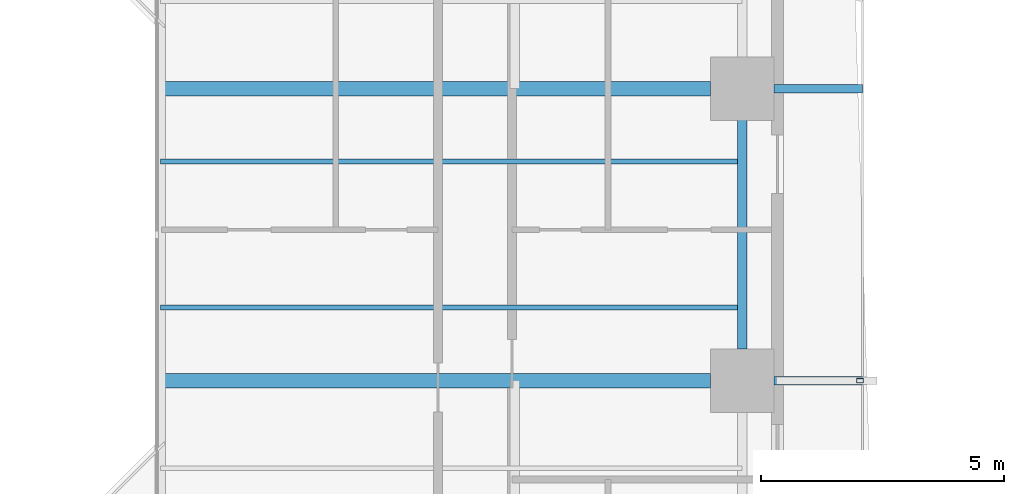
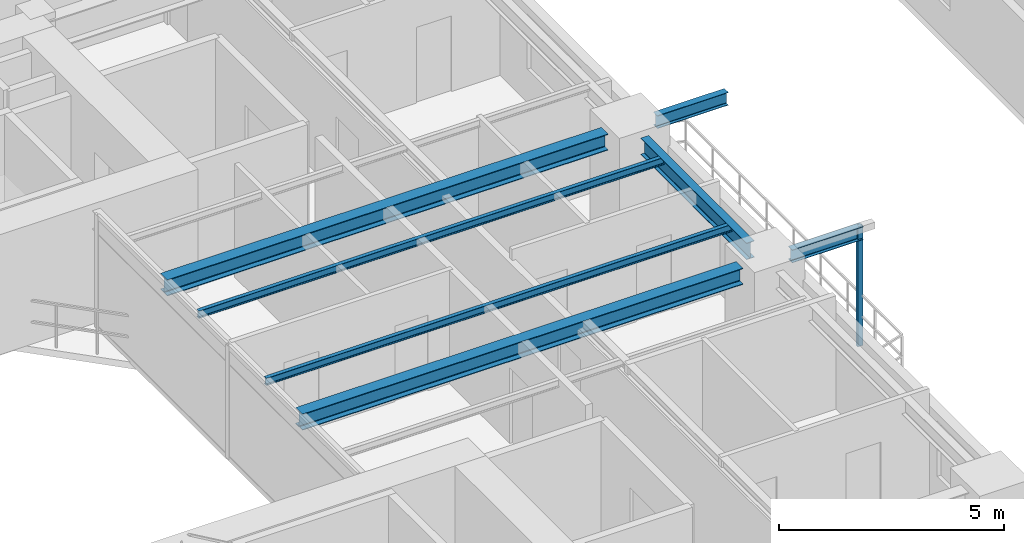
# One storey, part 7 of 23: 7 beams, 1 member.
"""IFC4 building model written with IfcOpenShell, lengths in metres."""

import ifcopenshell
import ifcopenshell.guid

model = None  # the IFC model being written
_history = None  # IfcOwnerHistory: only IFC2X3 demands one
_inside = {}  # id of a spatial element -> (the spatial element, [elements in it])
_under = {}  # id of a project, library or spatial element -> (it, [spatial elements below it])
_declared = {}  # id of a project -> (the project, [libraries it declares])
_typed = {}  # id of a type object -> (the type object, [elements of that type])
_made_of = {}  # id of a material, layer set ... -> (it, [elements and type objects made of it])


def new_model(schema):
    """Start an empty IFC model of exactly this schema.

    Asked for "IFC4X3", IfcOpenShell would pick the latest addendum, in which some entities
    have other attributes; the version numbers below select the first issue.
    IFC2X3 requires an IfcOwnerHistory on every rooted entity: one is made here for all.
    """
    global model, _history
    if schema == "IFC4X3":
        model = ifcopenshell.file(schema_version=(4, 3, 0, 0))
    else:
        model = ifcopenshell.file(schema=schema)
    _inside.clear()
    _under.clear()
    _declared.clear()
    _typed.clear()
    _made_of.clear()
    _history = None
    if model.schema == "IFC2X3":
        org = make("IfcOrganization", Name="unknown")
        user = make(
            "IfcPersonAndOrganization",
            ThePerson=make("IfcPerson", FamilyName="unknown"),
            TheOrganization=org,
        )
        app = make(
            "IfcApplication",
            ApplicationDeveloper=org,
            Version="unknown",
            ApplicationFullName="unknown",
            ApplicationIdentifier="unknown",
        )
        _history = make(
            "IfcOwnerHistory",
            OwningUser=user,
            OwningApplication=app,
            ChangeAction="ADDED",
            CreationDate=0,
        )
    return model


def make(cls, **values):
    """One entity of the class cls with the attributes given. An attribute that is None is left unset."""
    return model.create_entity(
        cls, **{name: value for name, value in values.items() if value is not None}
    )


def rooted(cls, **values):
    """An entity with a GlobalId (a new one), such as an element, a storey or a relation."""
    return make(cls, GlobalId=ifcopenshell.guid.new(), OwnerHistory=_history, **values)


def si_unit(unit_type, name, prefix=None):
    """IfcSIUnit, for example si_unit("LENGTHUNIT", "METRE", prefix="MILLI")."""
    return make("IfcSIUnit", UnitType=unit_type, Prefix=prefix, Name=name)


def assignment(units):
    """IfcUnitAssignment: the units of a project."""
    return None if units is None else make("IfcUnitAssignment", Units=units)


def point(xyz):
    """IfcCartesianPoint."""
    return None if xyz is None else make("IfcCartesianPoint", Coordinates=xyz)


def direction(xyz):
    """IfcDirection."""
    return None if xyz is None else make("IfcDirection", DirectionRatios=xyz)


def frame(location, z_axis=None, x_axis=None):
    """IfcAxis2Placement3D, a coordinate frame: its origin and axes. An axis left out is left unset."""
    return make(
        "IfcAxis2Placement3D",
        Location=point(location),
        Axis=direction(z_axis),
        RefDirection=direction(x_axis),
    )


def frame_2d(location, x_axis=None):
    """IfcAxis2Placement2D, a coordinate frame in the plane: its origin and x axis."""
    return make(
        "IfcAxis2Placement2D", Location=point(location), RefDirection=direction(x_axis)
    )


def origin():
    """The frame at (0, 0, 0) with its axes left unset."""
    return frame((0.0, 0.0, 0.0))


def origin_2d():
    """The frame at (0, 0) in the plane with its x axis left unset."""
    return frame_2d((0.0, 0.0))


def place(relative_to, where):
    """IfcLocalPlacement: puts the frame where relative to a parent placement (None: the world)."""
    return make(
        "IfcLocalPlacement", PlacementRelTo=relative_to, RelativePlacement=where
    )


def context(
    kind, dimensions, precision=None, world=None, true_north=None, identifier=None
):
    """IfcGeometricRepresentationContext, for example the 3D "Model" context."""
    return make(
        "IfcGeometricRepresentationContext",
        ContextIdentifier=identifier,
        ContextType=kind,
        CoordinateSpaceDimension=dimensions,
        Precision=precision,
        WorldCoordinateSystem=world,
        TrueNorth=true_north,
    )


def subcontext(parent, identifier, kind, view, scale=None):
    """IfcGeometricRepresentationSubContext, for example "Body" below "Model"."""
    return make(
        "IfcGeometricRepresentationSubContext",
        ContextIdentifier=identifier,
        ContextType=kind,
        ParentContext=parent,
        TargetScale=scale,
        TargetView=view,
    )


def project(units=None, contexts=None):
    """IfcProject with its units and contexts."""
    return rooted(
        "IfcProject",
        Name="project",
        RepresentationContexts=contexts,
        UnitsInContext=assignment(units),
    )


def spatial(cls, under=None, at=None, **own):
    """A site, building, storey or space (cls), placed at a placement, below another one or the project."""
    s = rooted(cls, ObjectPlacement=at, **own)
    if under is not None:
        _under.setdefault(under.id(), (under, []))[1].append(s)
    return s


def profile(cls, at=None, kind="AREA", **sizes):
    """A parametric profile (cls). Its sizes go by their IFC names, for example OverallWidth=200.0."""
    return make(cls, ProfileType=kind, Position=at, **sizes)


def hollow_rectangle(**sizes):
    """IfcRectangleHollowProfileDef."""
    return profile("IfcRectangleHollowProfileDef", **sizes)


def i_section(**sizes):
    """IfcIShapeProfileDef."""
    return profile("IfcIShapeProfileDef", **sizes)


def extrude(swept, where, along, depth):
    """IfcExtrudedAreaSolid: the profile swept, set in the frame where, extruded along a direction by depth."""
    return make(
        "IfcExtrudedAreaSolid",
        SweptArea=swept,
        Position=where,
        ExtrudedDirection=direction(along),
        Depth=depth,
    )


def shape(context_of_items, identifier, shape_type, items):
    """IfcShapeRepresentation: the items that make up one representation, for example the "Body"."""
    return make(
        "IfcShapeRepresentation",
        ContextOfItems=context_of_items,
        RepresentationIdentifier=identifier,
        RepresentationType=shape_type,
        Items=items,
    )


def source(mapping_origin, context_of_items, identifier, shape_type, items):
    """IfcRepresentationMap: a shape defined once, which mapped items show again and again."""
    return make(
        "IfcRepresentationMap",
        MappingOrigin=mapping_origin,
        MappedRepresentation=shape(context_of_items, identifier, shape_type, items),
    )


def transform(
    local_origin,
    x_axis=None,
    y_axis=None,
    z_axis=None,
    scale=None,
    scale2=None,
    scale3=None,
    uniform=True,
):
    """IfcCartesianTransformationOperator3D, or its non-uniform kind. x_axis, y_axis, z_axis: its Axis1, 2, 3."""
    if uniform:
        return make(
            "IfcCartesianTransformationOperator3D",
            Axis1=direction(x_axis),
            Axis2=direction(y_axis),
            LocalOrigin=point(local_origin),
            Scale=scale,
            Axis3=direction(z_axis),
        )
    return make(
        "IfcCartesianTransformationOperator3DnonUniform",
        Axis1=direction(x_axis),
        Axis2=direction(y_axis),
        LocalOrigin=point(local_origin),
        Scale=scale,
        Axis3=direction(z_axis),
        Scale2=scale2,
        Scale3=scale3,
    )


def mapped(mapping_source, mapping_target):
    """IfcMappedItem: shows the shape of a source again, moved by a transform."""
    return make(
        "IfcMappedItem", MappingSource=mapping_source, MappingTarget=mapping_target
    )


def material(Name=None, Category=None):
    """IfcMaterial."""
    return make("IfcMaterial", Name=Name, Category=Category)


def material_profile(
    of_material, cross_section, Name=None, Category=None, Priority=None
):
    """IfcMaterialProfile: a cross section and its material."""
    return make(
        "IfcMaterialProfile",
        Name=Name,
        Material=of_material,
        Profile=cross_section,
        Priority=Priority,
        Category=Category,
    )


def profile_set(profiles, Name=None, composite=None):
    """IfcMaterialProfileSet."""
    return make(
        "IfcMaterialProfileSet",
        Name=Name,
        MaterialProfiles=profiles,
        CompositeProfile=composite,
    )


def made_of(thing, what):
    """Note that an element or type object is made of a material, layer set ...; save() writes the relation."""
    if what is not None:
        _made_of.setdefault(what.id(), (what, []))[1].append(thing)
    return thing


def type_object(cls, material=None, **own):
    """A type object (cls), such as IfcWallType, which elements share."""
    return made_of(rooted(cls, **own), material)


def element(
    cls,
    number,
    at=None,
    inside=None,
    cuts=None,
    type_object=None,
    material=None,
    context=None,
    identifier="Body",
    shape_type=None,
    held_by="IfcProductDefinitionShape",
    body=None,
    shapes=None,
    **own,
):
    """One element of the class cls, such as IfcWall. Its Tag is "e" and its number.

    at: its placement. inside: the storey or other place that contains it. cuts: it is an
    opening in that element (IfcRelVoidsElement). A single representation is given by context,
    identifier, shape_type and body (its items); several are given by shapes. held_by: the class
    of the entity that holds the representations. save() writes the other relations.
    """
    e = rooted(cls, Tag="e%d" % number, ObjectPlacement=at, **own)
    if body is not None:
        shapes = [shape(context, identifier, shape_type, body)]
    if shapes is not None:
        e.Representation = make(held_by, Representations=shapes)
    if inside is not None:
        _inside.setdefault(inside.id(), (inside, []))[1].append(e)
    if cuts is not None:
        rooted(
            "IfcRelVoidsElement", RelatingBuildingElement=cuts, RelatedOpeningElement=e
        )
    if type_object is not None:
        _typed.setdefault(type_object.id(), (type_object, []))[1].append(e)
    return made_of(e, material)


def aggregate(whole, parts):
    """IfcRelAggregates: a whole, such as a stair, and the parts it consists of."""
    return rooted("IfcRelAggregates", RelatingObject=whole, RelatedObjects=parts)


def save(model, path):
    """Write the relations noted so far, then the file.

    IfcRelAggregates (storeys below a building ...), IfcRelContainedInSpatialStructure (elements
    in a storey), IfcRelDefinesByType, IfcRelAssociatesMaterial and IfcRelDeclares: one each for
    every whole, place, type object, material and project.
    """
    for whole, parts in _under.values():
        aggregate(whole, parts)
    for where, things in _inside.values():
        rooted(
            "IfcRelContainedInSpatialStructure",
            RelatedElements=things,
            RelatingStructure=where,
        )
    for kind, things in _typed.values():
        rooted("IfcRelDefinesByType", RelatedObjects=things, RelatingType=kind)
    for what, things in _made_of.values():
        rooted("IfcRelAssociatesMaterial", RelatedObjects=things, RelatingMaterial=what)
    for by, libraries in _declared.values():
        rooted("IfcRelDeclares", RelatingContext=by, RelatedDefinitions=libraries)
    model.write(path)


model = new_model("IFC4")

# Units and contexts
model_context = context("Model", 3, precision=1e-05, world=origin(), true_north=direction((0.0, 1.0)))
body_context = subcontext(model_context, "Body", "Model", "MODEL_VIEW")
ifc_project = project(units=[si_unit("LENGTHUNIT", "METRE"), si_unit("AREAUNIT", "SQUARE_METRE"), si_unit("VOLUMEUNIT", "CUBIC_METRE"), si_unit("PLANEANGLEUNIT", "RADIAN"), si_unit("MASSUNIT", "GRAM", prefix="KILO"), si_unit("THERMODYNAMICTEMPERATUREUNIT", "KELVIN"), si_unit("POWERUNIT", "WATT")], contexts=[model_context])

# Site, building, storey
site_placement = place(None, origin())
site = spatial("IfcSite", under=ifc_project, at=site_placement, CompositionType="ELEMENT")
building_placement = place(site_placement, origin())
building = spatial("IfcBuilding", under=site, at=building_placement, Name="Qiaomeng Ring Towers", CompositionType="ELEMENT")
storey_placement = place(building_placement, frame((0.0, 0.0, 32.75)))
storey = spatial("IfcBuildingStorey", under=building, at=storey_placement, Name="L08", CompositionType="ELEMENT", Elevation=32.75)

# Beams
ifc_material_1 = material(Name="Steel Q355B", Category="steel")
ifc_material_profile_1 = material_profile(ifc_material_1, i_section(OverallWidth=0.199951171875, OverallDepth=0.449951171875, WebThickness=0.009033203125, FlangeThickness=0.013916015625, FilletRadius=0.01806640625, at=origin_2d()), Name="HN 450x200x9x14")
ifc_profile_set_1 = profile_set([ifc_material_profile_1], Name="Steel Q355B")
beam_type_1 = type_object("IfcBeamType", Name="STR-BM-HN450", PredefinedType="SPANDREL", material=ifc_profile_set_1)
shared_shape_1 = source(origin(), body_context, "Body", "SweptSolid", [
    extrude(i_section(OverallWidth=0.199951171875, OverallDepth=0.449951171875, WebThickness=0.009033203125, FlangeThickness=0.013916015625, FilletRadius=0.01806640625, at=origin_2d()), origin(), (0.0, 0.0, 1.0), 4.7021484375),
])
beam_placement = place(storey_placement, frame((37.14990234375, 20.64892578125, 2.844970703125), z_axis=(0.0, 1.0, 0.0), x_axis=(-1.0, 0.0, 0.0)))
element("IfcBeam", 1, at=beam_placement, inside=storey, type_object=beam_type_1, Name="L08 beam STR-SP-L08-T1-E2-E3", PredefinedType="SPANDREL", context=body_context, shape_type="MappedRepresentation", body=[
    mapped(shared_shape_1, transform((0.0, 0.0, 0.0), x_axis=(1.0, 0.0, 0.0), y_axis=(0.0, 1.0, 0.0), z_axis=(0.0, 0.0, 1.0), scale=1.0)),
])
ifc_material_profile_2 = material_profile(ifc_material_1, i_section(OverallWidth=0.300048828125, OverallDepth=0.43994140625, WebThickness=0.010986328125, FlangeThickness=0.01806640625, FilletRadius=0.02392578125, at=origin_2d()), Name="HM 440x300x11x18")
ifc_profile_set_2 = profile_set([ifc_material_profile_2], Name="Steel Q355B")
beam_type_2 = type_object("IfcBeamType", Name="STR-BM-HM440", PredefinedType="BEAM", material=ifc_profile_set_2)
shared_shape_2 = source(origin(), body_context, "Body", "SweptSolid", [
    extrude(i_section(OverallWidth=0.300048828125, OverallDepth=0.43994140625, WebThickness=0.010986328125, FlangeThickness=0.01806640625, FilletRadius=0.02392578125, at=origin_2d()), origin(), (0.0, 0.0, 1.0), 11.301025390625),
])
for number, where, z_axis, x_axis, name in (
    (2, (25.199951171875, 20.0, 2.85009765625), (1.0, 0.0, 0.0), (0.0, 1.0, 0.0), "L08 beam STR-BM-L08-T1-RAD-E2"),
    (3, (25.199951171875, 26.0, 2.85009765625), (1.0, 0.0, 0.0), (0.0, 1.0, 0.0), "L08 beam STR-BM-L08-T1-RAD-E3"),
):
    element("IfcBeam", number, at=place(storey_placement, frame(where, z_axis=z_axis, x_axis=x_axis)), inside=storey, type_object=beam_type_2, Name=name, PredefinedType="BEAM", context=body_context, shape_type="MappedRepresentation", body=[
        mapped(shared_shape_2, transform((0.0, 0.0, 0.0), x_axis=(1.0, 0.0, 0.0), y_axis=(0.0, 1.0, 0.0), z_axis=(0.0, 0.0, 1.0), scale=1.0)),
    ])
ifc_material_profile_3 = material_profile(ifc_material_1, i_section(OverallWidth=0.175048828125, OverallDepth=0.35009765625, WebThickness=0.007080078125, FlangeThickness=0.010986328125, FilletRadius=0.013916015625, at=origin_2d()), Name="HN 350x175x7x11")
ifc_profile_set_3 = profile_set([ifc_material_profile_3], Name="Steel Q355B")
beam_type_3 = type_object("IfcBeamType", Name="STR-BM-HN350", PredefinedType="JOIST", material=ifc_profile_set_3)
shared_shape_3 = source(origin(), body_context, "Body", "SweptSolid", [
    extrude(i_section(OverallWidth=0.175048828125, OverallDepth=0.35009765625, WebThickness=0.007080078125, FlangeThickness=0.010986328125, FilletRadius=0.013916015625, at=origin_2d()), origin(), (0.0, 0.0, 1.0), 1.821044921875),
])
for number, where, z_axis, x_axis, name in (
    (4, (37.799072265625, 20.0, 2.89501953125), (1.0, 0.0, 0.0), (0.0, 1.0, 0.0), "L08 beam STR-BALBM-L08-E2"),
    (5, (37.799072265625, 26.0, 2.89501953125), (1.0, 0.0, 0.0), (0.0, 1.0, 0.0), "L08 beam STR-BALBM-L08-E3"),
):
    element("IfcBeam", number, at=place(storey_placement, frame(where, z_axis=z_axis, x_axis=x_axis)), inside=storey, type_object=beam_type_3, Name=name, PredefinedType="JOIST", context=body_context, shape_type="MappedRepresentation", body=[
        mapped(shared_shape_3, transform((0.0, 0.0, 0.0), x_axis=(1.0, 0.0, 0.0), y_axis=(0.0, 1.0, 0.0), z_axis=(0.0, 0.0, 1.0), scale=1.0)),
    ])
ifc_material_profile_4 = material_profile(ifc_material_1, i_section(OverallWidth=0.10009765625, OverallDepth=0.199951171875, WebThickness=0.005615234375, FlangeThickness=0.008056640625, FilletRadius=0.010986328125, at=origin_2d()), Name="HN 200x100x5.5x8")
ifc_profile_set_4 = profile_set([ifc_material_profile_4], Name="Steel Q355B")
beam_type_4 = type_object("IfcBeamType", Name="STR-BM-HN200", PredefinedType="JOIST", material=ifc_profile_set_4)
shared_shape_4 = source(origin(), body_context, "Body", "SweptSolid", [
    extrude(i_section(OverallWidth=0.10009765625, OverallDepth=0.199951171875, WebThickness=0.005615234375, FlangeThickness=0.008056640625, FilletRadius=0.010986328125, at=origin_2d()), origin(), (0.0, 0.0, 1.0), 11.949951171875),
])
for number, where, z_axis, x_axis, name in (
    (6, (25.199951171875, 21.5, 2.969970703125), (1.0, 0.0, 0.0), (0.0, 1.0, 0.0), "L08 beam STR-JST-L08-T1E-2"),
    (7, (25.199951171875, 24.5, 2.969970703125), (1.0, 0.0, 0.0), (0.0, 1.0, 0.0), "L08 beam STR-JST-L08-T1E-3"),
):
    element("IfcBeam", number, at=place(storey_placement, frame(where, z_axis=z_axis, x_axis=x_axis)), inside=storey, type_object=beam_type_4, Name=name, PredefinedType="JOIST", context=body_context, shape_type="MappedRepresentation", body=[
        mapped(shared_shape_4, transform((0.0, 0.0, 0.0), x_axis=(1.0, 0.0, 0.0), y_axis=(0.0, 1.0, 0.0), z_axis=(0.0, 0.0, 1.0), scale=1.0)),
    ])

# Member
ifc_material_2 = material(Name="Stainless steel 316", Category="steel")
ifc_material_profile_5 = material_profile(ifc_material_2, hollow_rectangle(XDim=0.090087890625, YDim=0.139892578125, WallThickness=0.0048828125, at=origin_2d()), Name="SS TRELLIS 90x140")
ifc_profile_set_5 = profile_set([ifc_material_profile_5], Name="Stainless steel 316")
member_type = type_object("IfcMemberType", Name="ARC-TR-POST1", PredefinedType="STUD", material=ifc_profile_set_5)
shared_shape_5 = source(origin(), body_context, "Body", "SweptSolid", [
    extrude(hollow_rectangle(XDim=0.090087890625, YDim=0.139892578125, WallThickness=0.0048828125, at=origin_2d()), origin(), (0.0, 0.0, 1.0), 3.25),
])
member_placement = place(storey_placement, frame((39.570068359375, 20.0, -0.179931640625), z_axis=(0.0, 0.0, 1.0), x_axis=(0.0, 1.0, 0.0)))
element("IfcMember", 8, at=member_placement, inside=storey, type_object=member_type, Name="L08 Outer Ventilated Trellis Post E", PredefinedType="STUD", context=body_context, shape_type="MappedRepresentation", body=[
    mapped(shared_shape_5, transform((0.0, 0.0, 0.0), x_axis=(1.0, 0.0, 0.0), y_axis=(0.0, 1.0, 0.0), z_axis=(0.0, 0.0, 1.0), scale=1.0)),
])

save(model, "model.ifc")
